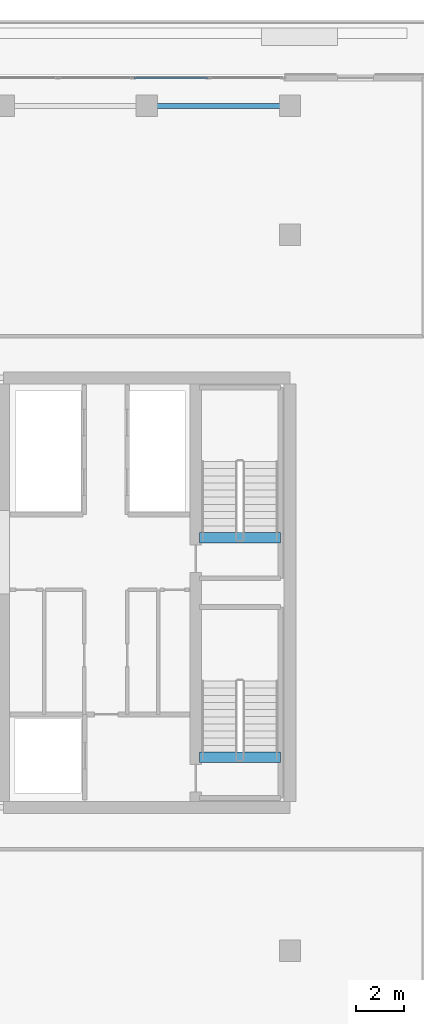
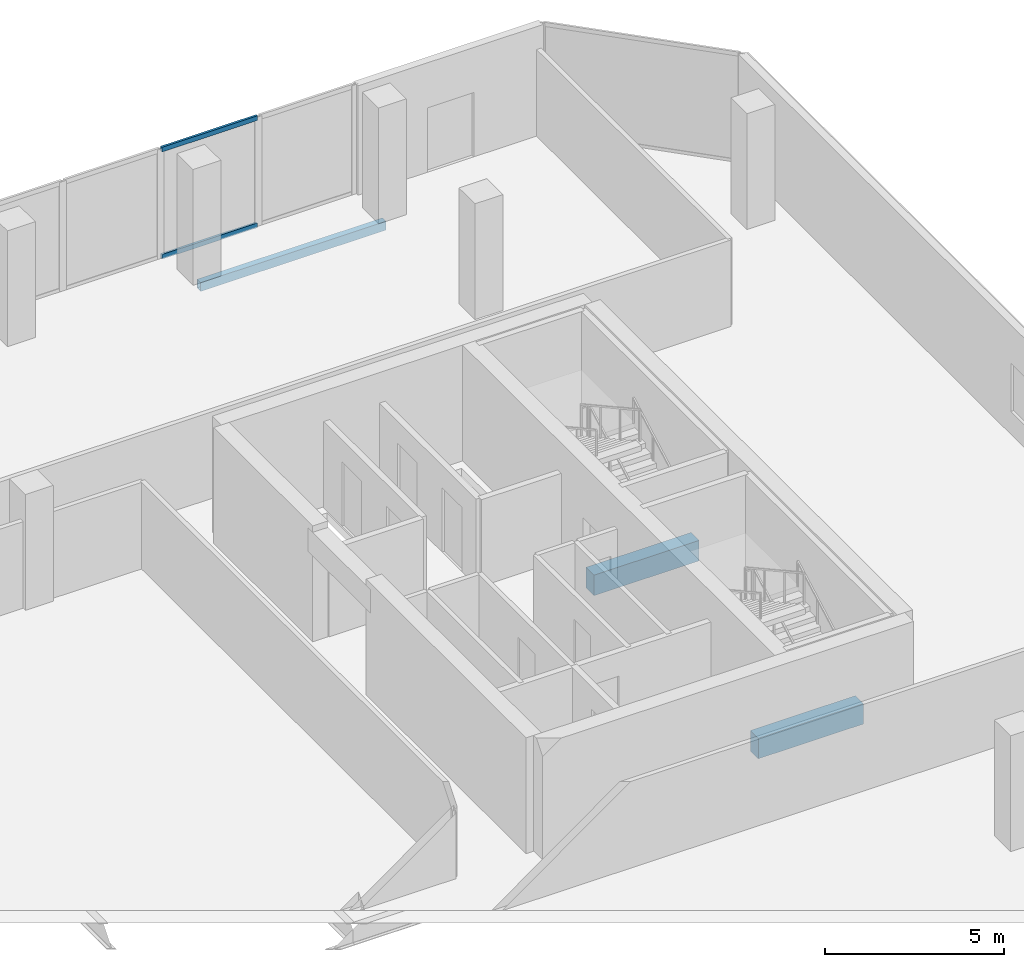
# One storey, part 17 of 30: 3 beams, 2 members, 1 element without a shape of its own.
"""IFC4 building model written with IfcOpenShell, lengths in metres."""

from ifc_helpers import new_model, si_unit, direction, frame, origin, origin_2d, place, context, subcontext, project, spatial, rectangle, hollow_rectangle, extrude, material, layer, layer_set, material_profile, profile_set, type_object, element, aggregate, save


model = new_model("IFC4")

# Units and contexts
model_context = context("Model", 3, precision=1e-05, world=origin(), true_north=direction((0.0, 1.0)))
body_context = subcontext(model_context, "Body", "Model", "MODEL_VIEW")
ifc_project = project(units=[si_unit("LENGTHUNIT", "METRE"), si_unit("AREAUNIT", "SQUARE_METRE"), si_unit("VOLUMEUNIT", "CUBIC_METRE"), si_unit("PLANEANGLEUNIT", "RADIAN"), si_unit("MASSUNIT", "GRAM", prefix="KILO")], contexts=[model_context])

# Site, building, storey
site_placement = place(None, origin())
site = spatial("IfcSite", under=ifc_project, at=site_placement, CompositionType="ELEMENT")
building_placement = place(site_placement, origin())
building = spatial("IfcBuilding", under=site, at=building_placement, Name="Tanjung Sevakor Pilgrim Tower", CompositionType="ELEMENT")
storey_placement = place(building_placement, frame((0.0, 0.0, 128.0400390625)))
storey = spatial("IfcBuildingStorey", under=building, at=storey_placement, Name="L35", CompositionType="ELEMENT", Elevation=128.0400390625)

# Beams
ifc_material_1 = material(Name="Concrete C60/75", Category="concrete")
ifc_material_profile_1 = material_profile(ifc_material_1, rectangle(XDim=0.449951171875, YDim=0.699951171875, at=origin_2d()))
ifc_profile_set_1 = profile_set([ifc_material_profile_1], Name="Concrete C60/75")
beam_type_1 = type_object("IfcBeamType", Name="BM-B-LN3-RC-BM_450x700", PredefinedType="LINTEL", material=ifc_profile_set_1)
for number, where, z_axis, x_axis, name in (
    (1, (86.199951171875, 26.699951171875, -0.35009765625), (1.0, 0.0, 0.0), (0.0, 1.0, 0.0), "L35 TS-E1 Stair Threshold Beam"),
    (2, (86.199951171875, 35.89990234375, -0.35009765625), (1.0, 0.0, 0.0), (0.0, 1.0, 0.0), "L35 TS-E2 Stair Threshold Beam"),
):
    element("IfcBeam", number, at=place(storey_placement, frame(where, z_axis=z_axis, x_axis=x_axis)), inside=storey, type_object=beam_type_1, Name=name, PredefinedType="LINTEL", context=body_context, shape_type="SweptSolid", body=[
        extrude(rectangle(XDim=0.449951171875, YDim=0.699951171875, at=origin_2d()), origin(), (0.0, 0.0, 1.0), 3.400146484375),
    ])
ifc_material_2 = material(Name="Steel S355J2", Category="steel")
ifc_material_profile_2 = material_profile(ifc_material_2, hollow_rectangle(XDim=0.199951171875, YDim=0.300048828125, WallThickness=0.012451171875, at=origin_2d()))
ifc_profile_set_2 = profile_set([ifc_material_profile_2], Name="Steel S355J2")
beam_type_2 = type_object("IfcBeamType", Name="BM-B-SP3-RHS_300x200x12.5", PredefinedType="SPANDREL", material=ifc_profile_set_2)
beam_placement = place(storey_placement, frame((84.0, 54.0, -0.429931640625), z_axis=(1.0, 0.0, 0.0), x_axis=(0.0, 1.0, 0.0)))
element("IfcBeam", 3, at=beam_placement, inside=storey, type_object=beam_type_2, Name="L35 Spandrel MAIN N-18", PredefinedType="SPANDREL", context=body_context, shape_type="SweptSolid", body=[
    extrude(hollow_rectangle(XDim=0.199951171875, YDim=0.300048828125, WallThickness=0.012451171875, at=origin_2d()), origin(), (0.0, 0.0, 1.0), 6.0),
])

# Curtain wall, members
ifc_material_3 = material(Name="Aluminium 6063-T6 and Low-E Glass", Category="aluminium")
ifc_layer = layer(ifc_material_3, 0.199951171875)
ifc_layer_set = layer_set([ifc_layer], Name="CW-SYS-SKY")
curtain_wall_type = type_object("IfcCurtainWallType", Name="CW-SYS-SKY", PredefinedType="NOTDEFINED", material=ifc_layer_set)
curtain_wall_placement = place(storey_placement, origin())
curtain_wall = element("IfcCurtainWall", 4, at=curtain_wall_placement, inside=storey, type_object=curtain_wall_type, Name="L35 Curtain Wall CW-SKY-L35-N", PredefinedType="NOTDEFINED")
ifc_material_4 = material(Name="Aluminium 6063-T6", Category="aluminium")
ifc_material_profile_3 = material_profile(ifc_material_4, hollow_rectangle(XDim=0.074951171875, YDim=0.159912109375, WallThickness=0.00439453125, at=origin_2d()))
ifc_profile_set_3 = profile_set([ifc_material_profile_3], Name="Aluminium 6063-T6")
member_type = type_object("IfcMemberType", Name="TYPE-CWT-2", PredefinedType="USERDEFINED", material=ifc_profile_set_3)
member_1_placement = place(storey_placement, frame((86.54833984375, 55.175048828125, 0.037353515625), z_axis=(-1.0, 0.0, 0.0), x_axis=(0.0, -1.0, 0.0)))
member_1 = element("IfcMember", 5, at=member_1_placement, type_object=member_type, Name="CW-SKY transom 2.1", ObjectType="TRANSOM", PredefinedType="USERDEFINED", context=body_context, shape_type="SweptSolid", body=[
    extrude(hollow_rectangle(XDim=0.074951171875, YDim=0.159912109375, WallThickness=0.00439453125, at=origin_2d()), origin(), (0.0, 0.0, 1.0), 3.087158203125),
])
member_2_placement = place(storey_placement, frame((86.54833984375, 55.175048828125, 3.702392578125), z_axis=(-1.0, 0.0, 0.0), x_axis=(0.0, -1.0, 0.0)))
member_2 = element("IfcMember", 6, at=member_2_placement, type_object=member_type, Name="CW-SKY transom 2.2", ObjectType="TRANSOM", PredefinedType="USERDEFINED", context=body_context, shape_type="SweptSolid", body=[
    extrude(hollow_rectangle(XDim=0.074951171875, YDim=0.159912109375, WallThickness=0.00439453125, at=origin_2d()), origin(), (0.0, 0.0, 1.0), 3.087158203125),
])
aggregate(curtain_wall, [member_1, member_2])

save(model, "model.ifc")
